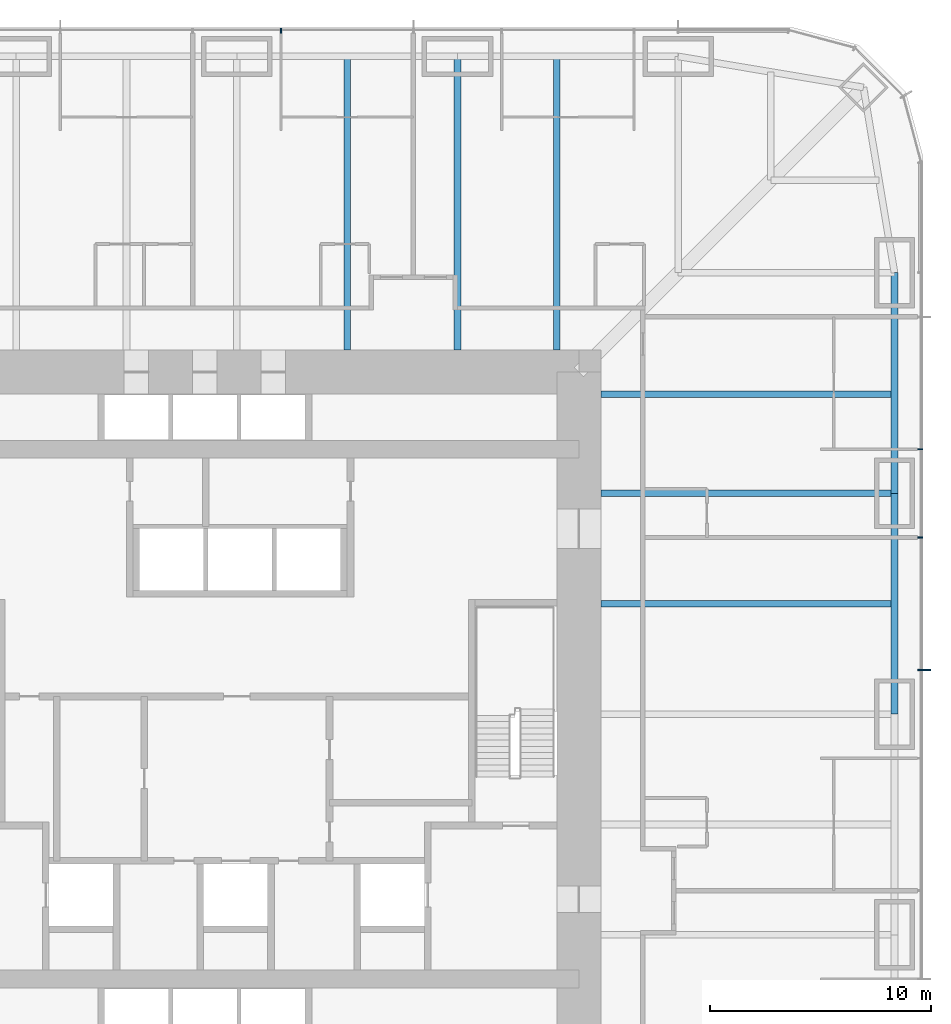
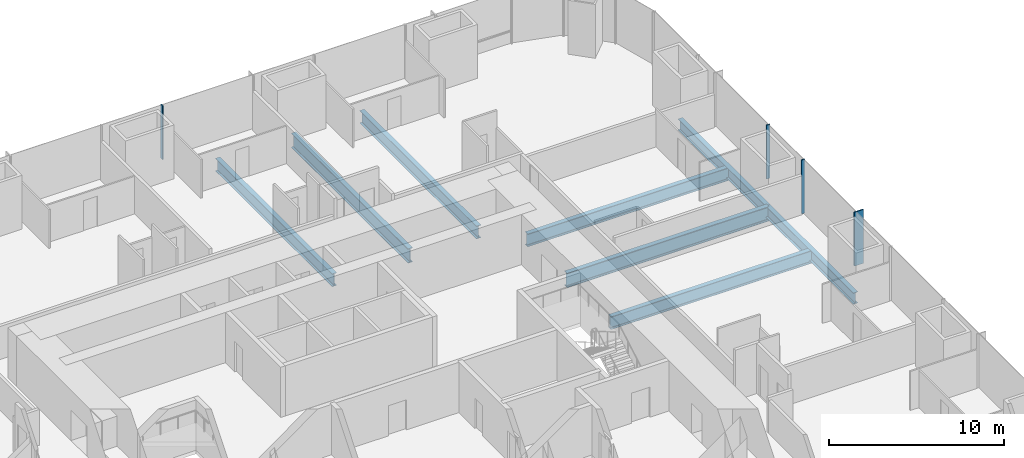
# One storey, part 8 of 17: 8 beams, 4 members, 2 elements without a shape of their own.
"""IFC4 building model written with IfcOpenShell, lengths in metres."""

from ifc_helpers import new_model, si_unit, direction, frame, origin, origin_2d, place, context, subcontext, project, spatial, rectangle, i_section, extrude, material, material_profile, profile_set, type_object, element, aggregate, save


model = new_model("IFC4")

# Units and contexts
model_context = context("Model", 3, precision=1e-05, world=origin(), true_north=direction((0.0, 1.0)))
body_context = subcontext(model_context, "Body", "Model", "MODEL_VIEW")
ifc_project = project(units=[si_unit("LENGTHUNIT", "METRE"), si_unit("AREAUNIT", "SQUARE_METRE"), si_unit("VOLUMEUNIT", "CUBIC_METRE"), si_unit("PLANEANGLEUNIT", "RADIAN"), si_unit("MASSUNIT", "GRAM", prefix="KILO")], contexts=[model_context])

# Site, building, storey
site_placement = place(None, origin())
site = spatial("IfcSite", under=ifc_project, at=site_placement, CompositionType="ELEMENT")
building_placement = place(site_placement, origin())
building = spatial("IfcBuilding", under=site, at=building_placement, Name="Khuree Lantern Residences", CompositionType="ELEMENT")
storey_placement = place(building_placement, frame((0.0, 0.0, 84.75)))
storey = spatial("IfcBuildingStorey", under=building, at=storey_placement, Name="L21", CompositionType="ELEMENT", Elevation=84.75)

# Beams
ifc_material_1 = material(Name="Steel S355", Category="steel")
ifc_material_profile_1 = material_profile(ifc_material_1, i_section(OverallWidth=0.300048828125, OverallDepth=0.889892578125, WebThickness=0.01611328125, FlangeThickness=0.030029296875, FilletRadius=0.030029296875, at=origin_2d()), Name="HE 900 A")
ifc_profile_set_1 = profile_set([ifc_material_profile_1], Name="Steel S355")
beam_type_1 = type_object("IfcBeamType", Name="B-15 SECONDARY BEAM HE 900 A", PredefinedType="BEAM", material=ifc_profile_set_1)
for number, where, z_axis, x_axis, name in (
    (1, (5.0, 29.800048828125, -0.695068359375), (0.0, -1.0, 0.0), (1.0, 0.0, 0.0), "Secondary beam N3"),
    (2, (14.5, 29.800048828125, -0.695068359375), (0.0, -1.0, 0.0), (1.0, 0.0, 0.0), "Secondary beam N4"),
    (3, (29.800048828125, 14.5, -0.695068359375), (-1.0, 0.0, 0.0), (0.0, -1.0, 0.0), "Secondary beam E2"),
    (4, (29.800048828125, 5.0, -0.695068359375), (-1.0, 0.0, 0.0), (0.0, -1.0, 0.0), "Secondary beam E3"),
):
    element("IfcBeam", number, at=place(storey_placement, frame(where, z_axis=z_axis, x_axis=x_axis)), inside=storey, type_object=beam_type_1, Name=name, PredefinedType="BEAM", context=body_context, shape_type="SweptSolid", body=[
        extrude(i_section(OverallWidth=0.300048828125, OverallDepth=0.889892578125, WebThickness=0.01611328125, FlangeThickness=0.030029296875, FilletRadius=0.030029296875, at=origin_2d()), origin(), (0.0, 0.0, 1.0), 13.300048828125),
    ])
ifc_material_profile_2 = material_profile(ifc_material_1, i_section(OverallWidth=0.300048828125, OverallDepth=0.7900390625, WebThickness=0.014892578125, FlangeThickness=0.028076171875, FilletRadius=0.030029296875, at=origin_2d()), Name="HE 800 A")
ifc_profile_set_2 = profile_set([ifc_material_profile_2], Name="Steel S355")
beam_type_2 = type_object("IfcBeamType", Name="E-15 SPANDREL BEAM HE 800 A", PredefinedType="SPANDREL", material=ifc_profile_set_2)
for number, where, z_axis, x_axis, name in (
    (5, (29.800048828125, 20.0, -0.64501953125), (0.0, -1.0, 0.0), (1.0, 0.0, 0.0), "Spandrel beam E2"),
    (6, (29.800048828125, 10.0, -0.64501953125), (0.0, -1.0, 0.0), (1.0, 0.0, 0.0), "Spandrel beam E3"),
):
    element("IfcBeam", number, at=place(storey_placement, frame(where, z_axis=z_axis, x_axis=x_axis)), inside=storey, type_object=beam_type_2, Name=name, PredefinedType="SPANDREL", context=body_context, shape_type="SweptSolid", body=[
        extrude(i_section(OverallWidth=0.300048828125, OverallDepth=0.7900390625, WebThickness=0.014892578125, FlangeThickness=0.028076171875, FilletRadius=0.030029296875, at=origin_2d()), origin(), (0.0, 0.0, 1.0), 10.0),
    ])

# Curtain wall, member
ifc_material_2 = material(Name="Bronze anodised aluminium", Category="aluminium")
curtain_wall_type = type_object("IfcCurtainWallType", Name="CW-T1 TOWER FACE CURTAIN WALL", PredefinedType="USERDEFINED", material=ifc_material_2)
curtain_wall_1_placement = place(storey_placement, origin())
curtain_wall_1 = element("IfcCurtainWall", 7, at=curtain_wall_1_placement, inside=storey, type_object=curtain_wall_type, Name="L21 EAST FACE CURTAIN WALL", ObjectType="Stick-built curtain wall", PredefinedType="USERDEFINED")
ifc_material_profile_3 = material_profile(ifc_material_2, rectangle(XDim=0.06494140625, YDim=0.60009765625, at=origin_2d()), Name="F1 65X600")
ifc_profile_set_3 = profile_set([ifc_material_profile_3], Name="Bronze anodised aluminium")
member_type_1 = type_object("IfcMemberType", Name="F1 BRONZE FIN MULLION TOWER 65X600", PredefinedType="MULLION", material=ifc_profile_set_3)
member_1_placement = place(storey_placement, frame((31.14990234375, 2.0, 0.0), z_axis=(0.0, 0.0, 1.0), x_axis=(0.0, 1.0, 0.0)))
member_1 = element("IfcMember", 8, at=member_1_placement, type_object=member_type_1, Name="L21 EAST FACE FIN MULLION 10", PredefinedType="MULLION", context=body_context, shape_type="SweptSolid", body=[
    extrude(rectangle(XDim=0.06494140625, YDim=0.60009765625, at=origin_2d()), origin(), (0.0, 0.0, 1.0), 3.75),
])

# Beams
ifc_material_profile_4 = material_profile(ifc_material_1, i_section(OverallWidth=0.302001953125, OverallDepth=1.008056640625, WebThickness=0.02099609375, FlangeThickness=0.0400390625, FilletRadius=0.030029296875, at=origin_2d()), Name="HE 1000 M")
ifc_profile_set_4 = profile_set([ifc_material_profile_4], Name="Steel S355")
beam_type_3 = type_object("IfcBeamType", Name="G-15 GIRDER HE 1000 M", PredefinedType="BEAM", material=ifc_profile_set_4)
for number, where, z_axis, x_axis, name in (
    (9, (10.0, 29.800048828125, -0.75390625), (0.0, -1.0, 0.0), (1.0, 0.0, 0.0), "Girder N4"),
    (10, (29.800048828125, 10.0, -0.75390625), (-1.0, 0.0, 0.0), (0.0, -1.0, 0.0), "Girder E2"),
):
    element("IfcBeam", number, at=place(storey_placement, frame(where, z_axis=z_axis, x_axis=x_axis)), inside=storey, type_object=beam_type_3, Name=name, PredefinedType="BEAM", context=body_context, shape_type="SweptSolid", body=[
        extrude(i_section(OverallWidth=0.302001953125, OverallDepth=1.008056640625, WebThickness=0.02099609375, FlangeThickness=0.0400390625, FilletRadius=0.030029296875, at=origin_2d()), origin(), (0.0, 0.0, 1.0), 13.300048828125),
    ])

# Member
ifc_material_profile_5 = material_profile(ifc_material_2, rectangle(XDim=0.06494140625, YDim=0.219970703125, at=origin_2d()), Name="M1 65X220")
ifc_profile_set_5 = profile_set([ifc_material_profile_5], Name="Bronze anodised aluminium")
member_type_2 = type_object("IfcMemberType", Name="M1 BRONZE MULLION TOWER 65X220", PredefinedType="MULLION", material=ifc_profile_set_5)
member_2_placement = place(storey_placement, frame((30.9599609375, 8.0, 0.0), z_axis=(0.0, 0.0, 1.0), x_axis=(0.0, 1.0, 0.0)))
member_2 = element("IfcMember", 11, at=member_2_placement, type_object=member_type_2, Name="L21 EAST FACE MULLION 11", PredefinedType="MULLION", context=body_context, shape_type="SweptSolid", body=[
    extrude(rectangle(XDim=0.06494140625, YDim=0.219970703125, at=origin_2d()), origin(), (0.0, 0.0, 1.0), 3.75),
])

member_3_placement = place(storey_placement, frame((30.9599609375, 12.0, 0.0), z_axis=(0.0, 0.0, 1.0), x_axis=(0.0, 1.0, 0.0)))
member_3 = element("IfcMember", 12, at=member_3_placement, type_object=member_type_2, Name="L21 EAST FACE MULLION 12", PredefinedType="MULLION", context=body_context, shape_type="SweptSolid", body=[
    extrude(rectangle(XDim=0.06494140625, YDim=0.219970703125, at=origin_2d()), origin(), (0.0, 0.0, 1.0), 3.75),
])

aggregate(curtain_wall_1, [member_1, member_2, member_3])

# Curtain wall, member
curtain_wall_2_placement = place(storey_placement, origin())
curtain_wall_2 = element("IfcCurtainWall", 13, at=curtain_wall_2_placement, inside=storey, type_object=curtain_wall_type, Name="L21 NORTH FACE CURTAIN WALL", ObjectType="Stick-built curtain wall", PredefinedType="USERDEFINED")
member_4_placement = place(storey_placement, frame((2.0, 30.9599609375, 0.0), z_axis=(0.0, 0.0, 1.0), x_axis=(-1.0, 0.0, 0.0)))
member_4 = element("IfcMember", 14, at=member_4_placement, type_object=member_type_2, Name="L21 NORTH FACE MULLION 23", PredefinedType="MULLION", context=body_context, shape_type="SweptSolid", body=[
    extrude(rectangle(XDim=0.06494140625, YDim=0.219970703125, at=origin_2d()), origin(), (0.0, 0.0, 1.0), 3.75),
])
aggregate(curtain_wall_2, [member_4])

save(model, "model.ifc")
